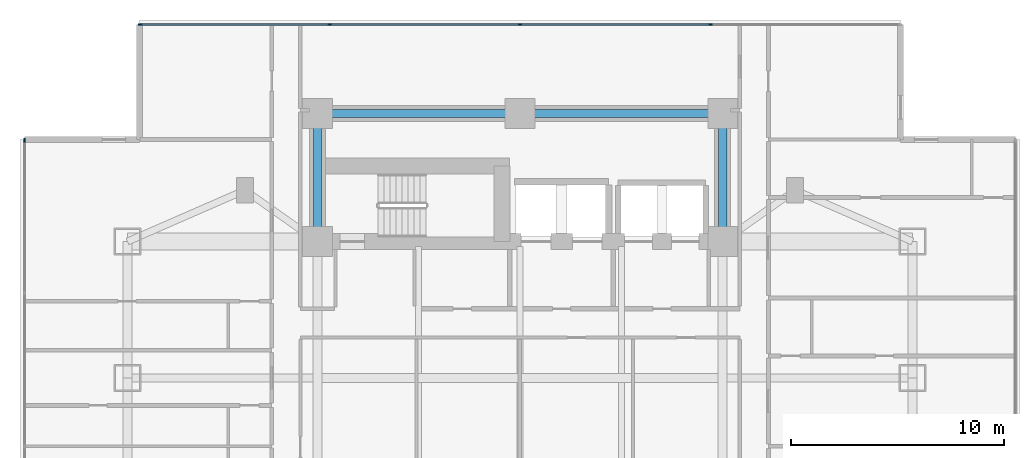
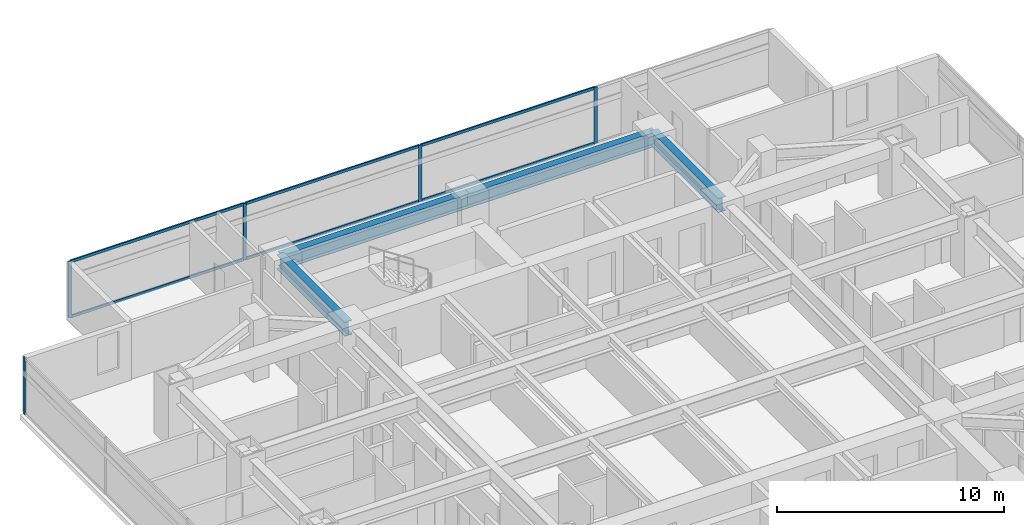
# One storey, part 7 of 26: 11 members, 4 beams, 2 elements without a shape of their own.
"""IFC4 building model written with IfcOpenShell, lengths in metres."""

from ifc_helpers import new_model, si_unit, direction, frame, origin, origin_2d, place, context, subcontext, project, spatial, rectangle, i_section, extrude, material, material_profile, profile_set, type_object, element, aggregate, save


model = new_model("IFC4")

# Units and contexts
model_context = context("Model", 3, precision=1e-05, world=origin(), true_north=direction((0.0, 1.0)))
body_context = subcontext(model_context, "Body", "Model", "MODEL_VIEW")
ifc_project = project(units=[si_unit("LENGTHUNIT", "METRE"), si_unit("AREAUNIT", "SQUARE_METRE"), si_unit("VOLUMEUNIT", "CUBIC_METRE"), si_unit("PLANEANGLEUNIT", "RADIAN"), si_unit("MASSUNIT", "GRAM", prefix="KILO")], contexts=[model_context])

# Site, building, storey
site_placement = place(None, origin())
site = spatial("IfcSite", under=ifc_project, at=site_placement, CompositionType="ELEMENT")
building_placement = place(site_placement, origin())
building = spatial("IfcBuilding", under=site, at=building_placement, Name="Mirazonda Arch Towers", CompositionType="ELEMENT")
storey_placement = place(building_placement, frame((0.0, 0.0, 48.800048828125)))
storey = spatial("IfcBuildingStorey", under=building, at=storey_placement, Name="L13", CompositionType="ELEMENT", Elevation=48.800048828125)

# Beams
ifc_material_1 = material(Name="Steel ASTM A992 Grade 50", Category="steel")
ifc_material_profile_1 = material_profile(ifc_material_1, i_section(OverallWidth=0.381103515625, OverallDepth=0.77294921875, WebThickness=0.0166015625, FlangeThickness=0.027099609375, at=origin_2d()), Name="W30X173")
ifc_profile_set_1 = profile_set([ifc_material_profile_1], Name="Steel ASTM A992 Grade 50")
beam_type = type_object("IfcBeamType", Name="BM-INT-W30X173", PredefinedType="USERDEFINED", material=ifc_profile_set_1)
for number, where, z_axis, x_axis, name in (
    (1, (11.0, 43.60009765625, 2.67333984375), (1.0, 0.0, 0.0), (0.0, 1.0, 0.0), "L13 Floor Beam BM-T1-L13-CN1"),
    (2, (20.5, 43.60009765625, 2.67333984375), (1.0, 0.0, 0.0), (0.0, 1.0, 0.0), "L13 Floor Beam BM-T1-L13-CN2"),
):
    element("IfcBeam", number, at=place(storey_placement, frame(where, z_axis=z_axis, x_axis=x_axis)), inside=storey, type_object=beam_type, Name=name, ObjectType="GIRDER", PredefinedType="USERDEFINED", context=body_context, shape_type="SweptSolid", body=[
        extrude(i_section(OverallWidth=0.381103515625, OverallDepth=0.77294921875, WebThickness=0.0166015625, FlangeThickness=0.027099609375, at=origin_2d()), origin(), (0.0, 0.0, 1.0), 9.5),
    ])
for number, where, z_axis, x_axis, name in (
    (3, (11.0, 37.60009765625, 2.67333984375), (0.0, 1.0, 0.0), (-1.0, 0.0, 0.0), "L13 Floor Beam BM-T1-L13-CNW"),
    (4, (30.0, 37.60009765625, 2.67333984375), (0.0, 1.0, 0.0), (-1.0, 0.0, 0.0), "L13 Floor Beam BM-T1-L13-CNE"),
):
    element("IfcBeam", number, at=place(storey_placement, frame(where, z_axis=z_axis, x_axis=x_axis)), inside=storey, type_object=beam_type, Name=name, ObjectType="GIRDER", PredefinedType="USERDEFINED", context=body_context, shape_type="SweptSolid", body=[
        extrude(i_section(OverallWidth=0.381103515625, OverallDepth=0.77294921875, WebThickness=0.0166015625, FlangeThickness=0.027099609375, at=origin_2d()), origin(), (0.0, 0.0, 1.0), 6.0),
    ])

# Curtain wall, members
ifc_material_2 = material(Name="Anodised Aluminium and Low-E Glass", Category="aluminium")
curtain_wall_type = type_object("IfcCurtainWallType", Name="CW-HTL-UNIT", PredefinedType="NOTDEFINED", material=ifc_material_2)
curtain_wall_1_placement = place(storey_placement, origin())
curtain_wall_1 = element("IfcCurtainWall", 5, at=curtain_wall_1_placement, inside=storey, type_object=curtain_wall_type, Name="L13 T1 N Facade CW-L13-T1-N", PredefinedType="NOTDEFINED")
ifc_material_3 = material(Name="Anodised Aluminium Alloy", Category="aluminium")
ifc_material_profile_2 = material_profile(ifc_material_3, rectangle(XDim=0.074951171875, YDim=0.1650390625, at=origin_2d()), Name="ALU-MULL-75x165")
ifc_profile_set_2 = profile_set([ifc_material_profile_2], Name="Anodised Aluminium Alloy")
member_type_1 = type_object("IfcMemberType", Name="MULL-CW-HTL-UNIT", PredefinedType="MULLION", material=ifc_profile_set_2)
member_1_placement = place(storey_placement, frame((2.697509765625, 47.763916015625, 0.0), z_axis=(0.0, 0.0, 1.0), x_axis=(0.0, 1.0, 0.0)))
member_1 = element("IfcMember", 6, at=member_1_placement, type_object=member_type_1, Name="CW-112 mullion 1", PredefinedType="MULLION", context=body_context, shape_type="SweptSolid", body=[
    extrude(rectangle(XDim=0.074951171875, YDim=0.1650390625, at=origin_2d()), origin(), (0.0, 0.0, 1.0), 3.0400390625),
])
member_2_placement = place(storey_placement, frame((11.580078125, 47.763916015625, 0.0), z_axis=(0.0, 0.0, 1.0), x_axis=(0.0, 1.0, 0.0)))
member_2 = element("IfcMember", 7, at=member_2_placement, type_object=member_type_1, Name="CW-112 mullion 2", PredefinedType="MULLION", context=body_context, shape_type="SweptSolid", body=[
    extrude(rectangle(XDim=0.074951171875, YDim=0.1650390625, at=origin_2d()), origin(), (0.0, 0.0, 1.0), 3.0400390625),
])
member_3_placement = place(storey_placement, frame((20.5, 47.763916015625, 0.0), z_axis=(0.0, 0.0, 1.0), x_axis=(0.0, 1.0, 0.0)))
member_3 = element("IfcMember", 8, at=member_3_placement, type_object=member_type_1, Name="CW-112 mullion 3", PredefinedType="MULLION", context=body_context, shape_type="SweptSolid", body=[
    extrude(rectangle(XDim=0.074951171875, YDim=0.1650390625, at=origin_2d()), origin(), (0.0, 0.0, 1.0), 3.0400390625),
])
member_4_placement = place(storey_placement, frame((29.419921875, 47.763916015625, 0.0), z_axis=(0.0, 0.0, 1.0), x_axis=(0.0, 1.0, 0.0)))
member_4 = element("IfcMember", 9, at=member_4_placement, type_object=member_type_1, Name="CW-112 mullion 4", PredefinedType="MULLION", context=body_context, shape_type="SweptSolid", body=[
    extrude(rectangle(XDim=0.074951171875, YDim=0.1650390625, at=origin_2d()), origin(), (0.0, 0.0, 1.0), 3.0400390625),
])

# Curtain wall, member
curtain_wall_2_placement = place(storey_placement, origin())
curtain_wall_2 = element("IfcCurtainWall", 10, at=curtain_wall_2_placement, inside=storey, type_object=curtain_wall_type, Name="L13 T1 W Facade CW-L13-T1-W", PredefinedType="NOTDEFINED")
member_5_placement = place(storey_placement, frame((-2.719970703125, 42.346435546875, 0.0), z_axis=(0.0, 0.0, 1.0), x_axis=(1.0, 0.0, 0.0)))
member_5 = element("IfcMember", 11, at=member_5_placement, type_object=member_type_1, Name="CW-112 mullion 1", PredefinedType="MULLION", context=body_context, shape_type="SweptSolid", body=[
    extrude(rectangle(XDim=0.074951171875, YDim=0.1650390625, at=origin_2d()), origin(), (0.0, 0.0, 1.0), 3.0400390625),
])
aggregate(curtain_wall_2, [member_5])

# Member
ifc_material_profile_3 = material_profile(ifc_material_3, rectangle(XDim=0.074951171875, YDim=0.14501953125, at=origin_2d()), Name="ALU-TRAN-75x145")
ifc_profile_set_3 = profile_set([ifc_material_profile_3], Name="Anodised Aluminium Alloy")
member_type_2 = type_object("IfcMemberType", Name="TRAN-CW-HTL-UNIT", PredefinedType="USERDEFINED", material=ifc_profile_set_3)
member_6_placement = place(storey_placement, frame((2.735107421875, 47.763916015625, 0.037353515625), z_axis=(1.0, 0.0, 0.0), x_axis=(0.0, 1.0, 0.0)))
member_6 = element("IfcMember", 12, at=member_6_placement, type_object=member_type_2, Name="CW-112 transom 1.1", ObjectType="TRANSOM", PredefinedType="USERDEFINED", context=body_context, shape_type="SweptSolid", body=[
    extrude(rectangle(XDim=0.074951171875, YDim=0.14501953125, at=origin_2d()), origin(), (0.0, 0.0, 1.0), 8.807373046875),
])

member_7_placement = place(storey_placement, frame((2.735107421875, 47.763916015625, 3.00244140625), z_axis=(1.0, 0.0, 0.0), x_axis=(0.0, 1.0, 0.0)))
member_7 = element("IfcMember", 13, at=member_7_placement, type_object=member_type_2, Name="CW-112 transom 1.2", ObjectType="TRANSOM", PredefinedType="USERDEFINED", context=body_context, shape_type="SweptSolid", body=[
    extrude(rectangle(XDim=0.074951171875, YDim=0.14501953125, at=origin_2d()), origin(), (0.0, 0.0, 1.0), 8.807373046875),
])

member_8_placement = place(storey_placement, frame((11.617431640625, 47.763916015625, 0.037353515625), z_axis=(1.0, 0.0, 0.0), x_axis=(0.0, 1.0, 0.0)))
member_8 = element("IfcMember", 14, at=member_8_placement, type_object=member_type_2, Name="CW-112 transom 2.1", ObjectType="TRANSOM", PredefinedType="USERDEFINED", context=body_context, shape_type="SweptSolid", body=[
    extrude(rectangle(XDim=0.074951171875, YDim=0.14501953125, at=origin_2d()), origin(), (0.0, 0.0, 1.0), 8.844970703125),
])

member_9_placement = place(storey_placement, frame((11.617431640625, 47.763916015625, 3.00244140625), z_axis=(1.0, 0.0, 0.0), x_axis=(0.0, 1.0, 0.0)))
member_9 = element("IfcMember", 15, at=member_9_placement, type_object=member_type_2, Name="CW-112 transom 2.2", ObjectType="TRANSOM", PredefinedType="USERDEFINED", context=body_context, shape_type="SweptSolid", body=[
    extrude(rectangle(XDim=0.074951171875, YDim=0.14501953125, at=origin_2d()), origin(), (0.0, 0.0, 1.0), 8.844970703125),
])

member_10_placement = place(storey_placement, frame((20.53759765625, 47.763916015625, 0.037353515625), z_axis=(1.0, 0.0, 0.0), x_axis=(0.0, 1.0, 0.0)))
member_10 = element("IfcMember", 16, at=member_10_placement, type_object=member_type_2, Name="CW-112 transom 3.1", ObjectType="TRANSOM", PredefinedType="USERDEFINED", context=body_context, shape_type="SweptSolid", body=[
    extrude(rectangle(XDim=0.074951171875, YDim=0.14501953125, at=origin_2d()), origin(), (0.0, 0.0, 1.0), 8.844970703125),
])

member_11_placement = place(storey_placement, frame((20.53759765625, 47.763916015625, 3.00244140625), z_axis=(1.0, 0.0, 0.0), x_axis=(0.0, 1.0, 0.0)))
member_11 = element("IfcMember", 17, at=member_11_placement, type_object=member_type_2, Name="CW-112 transom 3.2", ObjectType="TRANSOM", PredefinedType="USERDEFINED", context=body_context, shape_type="SweptSolid", body=[
    extrude(rectangle(XDim=0.074951171875, YDim=0.14501953125, at=origin_2d()), origin(), (0.0, 0.0, 1.0), 8.844970703125),
])

aggregate(curtain_wall_1, [member_1, member_2, member_3, member_4, member_6, member_7, member_8, member_9, member_10, member_11])

save(model, "model.ifc")
